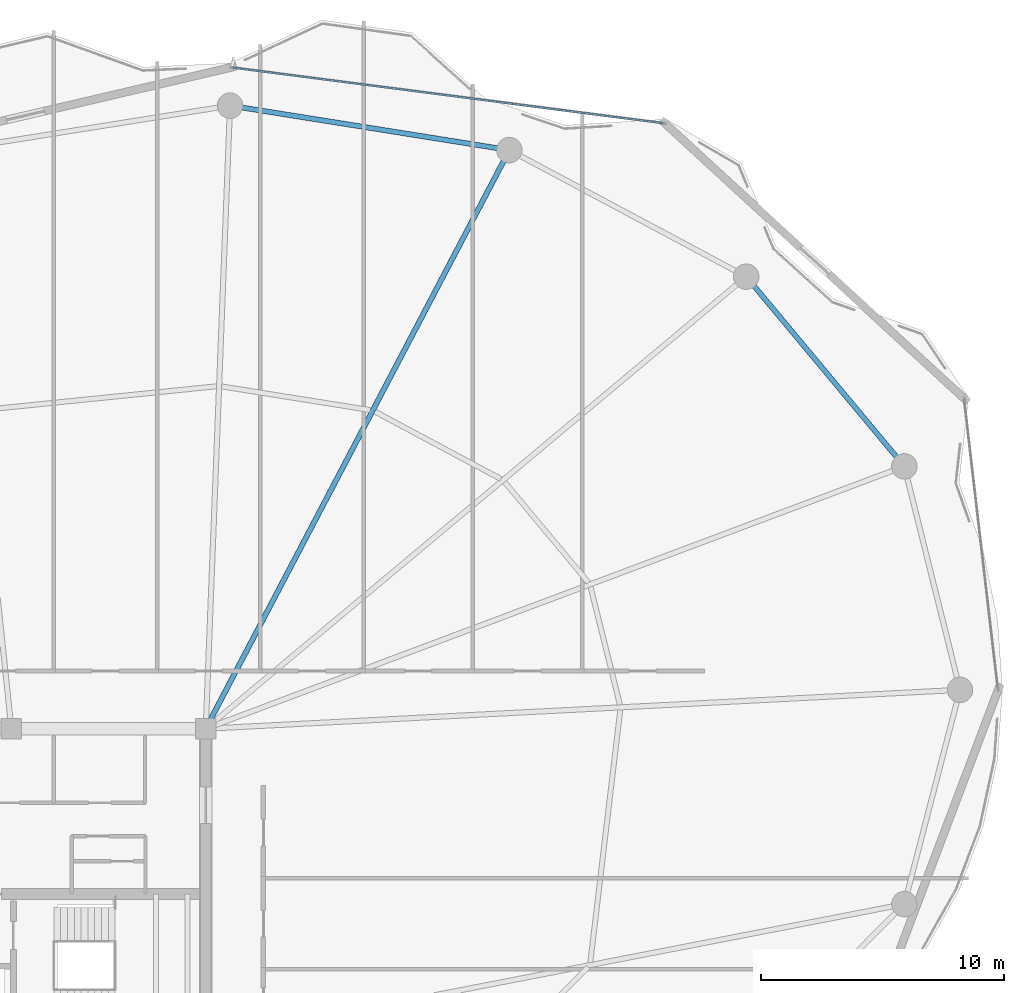
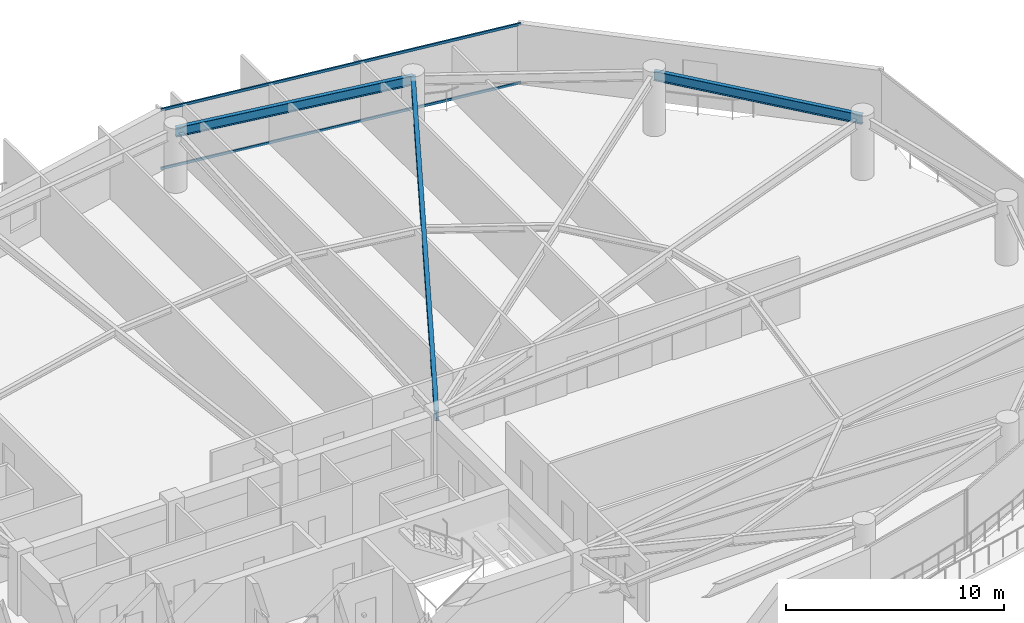
# One storey, part 21 of 31: 3 beams, 2 members, 1 element without a shape of its own.
"""IFC4 building model written with IfcOpenShell, lengths in metres."""

from ifc_helpers import new_model, si_unit, direction, frame, origin, origin_2d, place, context, subcontext, project, spatial, hollow_rectangle, i_section, extrude, material, layer, layer_set, material_profile, profile_set, type_object, element, aggregate, save


model = new_model("IFC4")

# Units and contexts
model_context = context("Model", 3, precision=1e-05, world=origin(), true_north=direction((0.0, 1.0)))
body_context = subcontext(model_context, "Body", "Model", "MODEL_VIEW")
ifc_project = project(units=[si_unit("LENGTHUNIT", "METRE"), si_unit("AREAUNIT", "SQUARE_METRE"), si_unit("VOLUMEUNIT", "CUBIC_METRE"), si_unit("PLANEANGLEUNIT", "RADIAN"), si_unit("MASSUNIT", "GRAM", prefix="KILO")], contexts=[model_context])

# Site, building, storey
site_placement = place(None, origin())
site = spatial("IfcSite", under=ifc_project, at=site_placement, CompositionType="ELEMENT")
building_placement = place(site_placement, origin())
building = spatial("IfcBuilding", under=site, at=building_placement, Name="Kazevale Care Tower and Concert Hall", CompositionType="ELEMENT")
storey_placement = place(building_placement, frame((0.0, 0.0, 220.800048828125)))
storey = spatial("IfcBuildingStorey", under=building, at=storey_placement, Name="L58", CompositionType="ELEMENT", Elevation=220.800048828125)

# Curtain wall, members
ifc_material_1 = material(Name="Aluminium 6063-T6 and Low-E Glass", Category="aluminium")
ifc_layer = layer(ifc_material_1, 0.179931640625)
ifc_layer_set = layer_set([ifc_layer], Name="Aluminium 6063-T6 and Low-E Glass")
curtain_wall_type = type_object("IfcCurtainWallType", Name="Waist & Upper Residential Curtain Wall CW-4", PredefinedType="NOTDEFINED", material=ifc_layer_set)
curtain_wall_placement = place(storey_placement, origin())
curtain_wall = element("IfcCurtainWall", 1, at=curtain_wall_placement, inside=storey, type_object=curtain_wall_type, Name="cw:L58:f16", PredefinedType="NOTDEFINED")
ifc_material_2 = material(Name="Aluminium 6063-T6", Category="aluminium")
ifc_material_profile_1 = material_profile(ifc_material_2, hollow_rectangle(XDim=0.080078125, YDim=0.139892578125, WallThickness=0.00390625, at=origin_2d()), Name="ALU80x140x4")
ifc_profile_set_1 = profile_set([ifc_material_profile_1], Name="Aluminium 6063-T6")
member_type = type_object("IfcMemberType", Name="CW-4 Transom ALU80x140x4", PredefinedType="USERDEFINED", material=ifc_profile_set_1)
member_1_placement = place(storey_placement, frame((45.123291015625, 63.61181640625, 0.0400390625), z_axis=(0.991760953967, -0.128102342625, 0.0), x_axis=(0.128102342625, 0.991760953967, 0.0)))
member_1 = element("IfcMember", 2, at=member_1_placement, type_object=member_type, Name="CW-4 transom 1.1", ObjectType="TRANSOM", PredefinedType="USERDEFINED", context=body_context, shape_type="SweptSolid", body=[
    extrude(hollow_rectangle(XDim=0.080078125, YDim=0.139892578125, WallThickness=0.00390625, at=origin_2d()), origin(), (0.0, 0.0, 1.0), 17.857666015625),
])
member_2_placement = place(storey_placement, frame((45.123291015625, 63.61181640625, 3.320068359375), z_axis=(0.991760953967, -0.128102342625, 0.0), x_axis=(0.128102342625, 0.991760953967, 0.0)))
member_2 = element("IfcMember", 3, at=member_2_placement, type_object=member_type, Name="CW-4 transom 1.2", ObjectType="TRANSOM", PredefinedType="USERDEFINED", context=body_context, shape_type="SweptSolid", body=[
    extrude(hollow_rectangle(XDim=0.080078125, YDim=0.139892578125, WallThickness=0.00390625, at=origin_2d()), origin(), (0.0, 0.0, 1.0), 17.857666015625),
])
aggregate(curtain_wall, [member_1, member_2])

# Beams
ifc_material_3 = material(Name="Steel ASTM A572 Gr 50", Category="steel")
ifc_material_profile_2 = material_profile(ifc_material_3, i_section(OverallWidth=0.2119140625, OverallDepth=0.5439453125, WebThickness=0.01318359375, FlangeThickness=0.021240234375, at=origin_2d()), Name="W530x123")
ifc_profile_set_2 = profile_set([ifc_material_profile_2], Name="Steel ASTM A572 Gr 50")
beam_type_1 = type_object("IfcBeamType", Name="Radial Floor Girder W530x123", PredefinedType="BEAM", material=ifc_profile_set_2)
beam_1_placement = place(storey_placement, frame((44.0, 36.39990234375, 3.087890625), z_axis=(0.464672566396, 0.885482583702, 0.0), x_axis=(-0.885482583702, 0.464672566396, 0.0)))
element("IfcBeam", 4, at=beam_1_placement, inside=storey, type_object=beam_type_1, Name="beam:L58:rad:04", PredefinedType="BEAM", context=body_context, shape_type="SweptSolid", body=[
    extrude(i_section(OverallWidth=0.2119140625, OverallDepth=0.5439453125, WebThickness=0.01318359375, FlangeThickness=0.021240234375, at=origin_2d()), origin(), (0.0, 0.0, 1.0), 26.900634765625),
])
ifc_material_profile_3 = material_profile(ifc_material_3, i_section(OverallWidth=0.208984375, OverallDepth=0.532958984375, WebThickness=0.01025390625, FlangeThickness=0.015625, at=origin_2d()), Name="W530x92")
ifc_profile_set_3 = profile_set([ifc_material_profile_3], Name="Steel ASTM A572 Gr 50")
beam_type_2 = type_object("IfcBeamType", Name="Upper Ring Beam W530x92", PredefinedType="BEAM", material=ifc_profile_set_3)
beam_2_placement = place(storey_placement, frame((72.760009765625, 47.199951171875, 3.093505859375), z_axis=(-0.640278868102, 0.768142546056, 0.0), x_axis=(-0.768142546056, -0.640278868102, 0.0)))
element("IfcBeam", 5, at=beam_2_placement, inside=storey, type_object=beam_type_2, Name="beam:L58:ring:02", PredefinedType="BEAM", context=body_context, shape_type="SweptSolid", body=[
    extrude(i_section(OverallWidth=0.208984375, OverallDepth=0.532958984375, WebThickness=0.01025390625, FlangeThickness=0.015625, at=origin_2d()), origin(), (0.0, 0.0, 1.0), 10.16748046875),
])
beam_3_placement = place(storey_placement, frame((56.5, 60.219970703125, 3.093505859375), z_axis=(-0.987573207584, 0.15715966296, 0.0), x_axis=(-0.15715966296, -0.987573207584, 0.0)))
element("IfcBeam", 6, at=beam_3_placement, inside=storey, type_object=beam_type_2, Name="beam:L58:ring:04", PredefinedType="BEAM", context=body_context, shape_type="SweptSolid", body=[
    extrude(i_section(OverallWidth=0.208984375, OverallDepth=0.532958984375, WebThickness=0.01025390625, FlangeThickness=0.015625, at=origin_2d()), origin(), (0.0, 0.0, 1.0), 11.644775390625),
])

save(model, "model.ifc")
